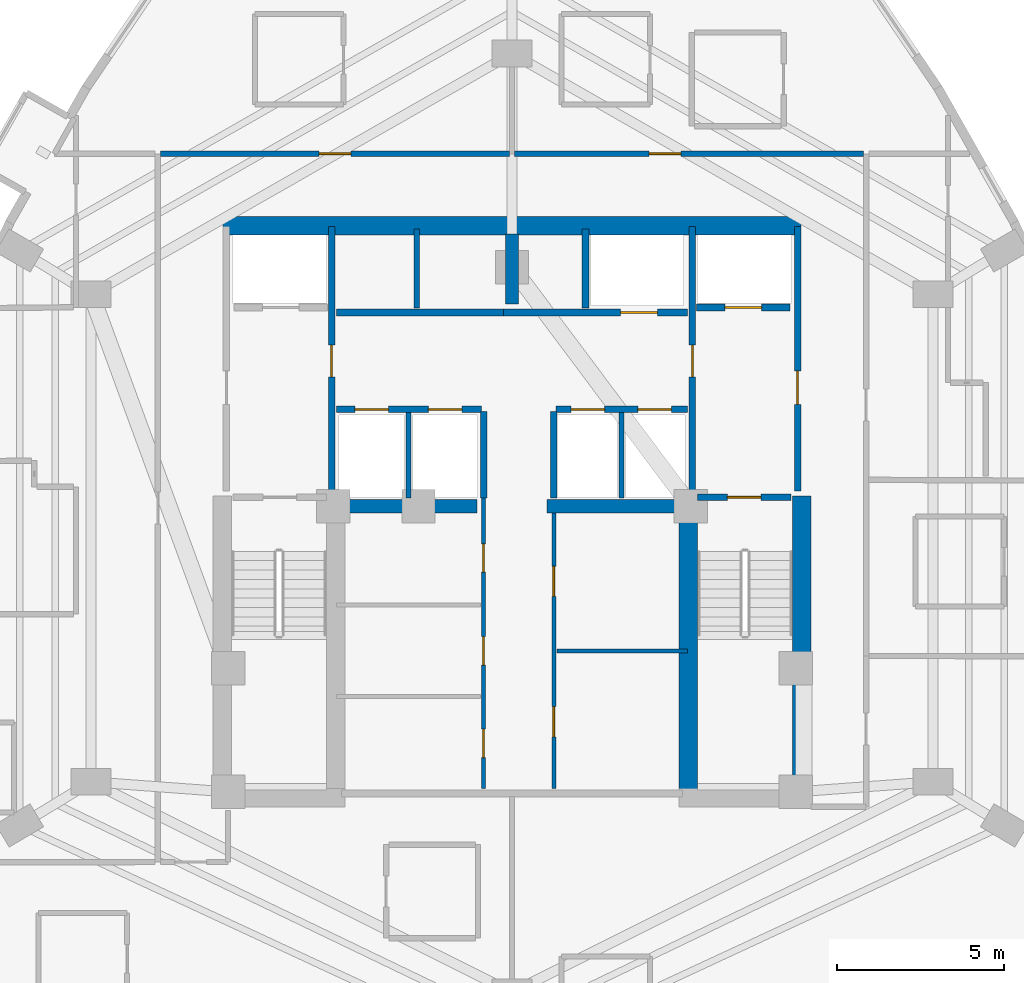
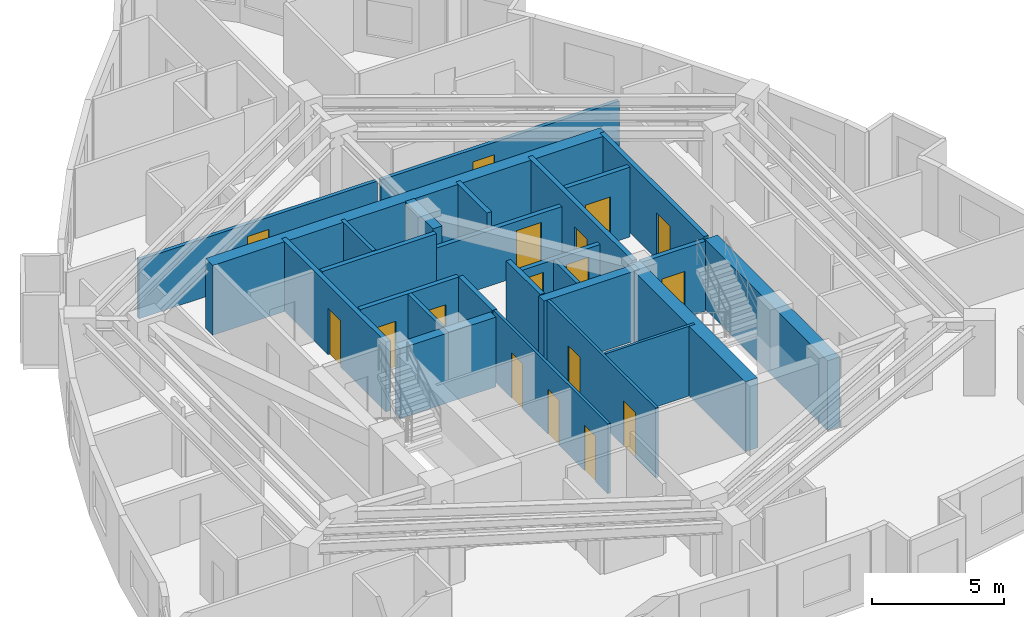
# One storey, part 8 of 12: 26 walls, 17 doors, 17 openings.
"""IFC4 building model written with IfcOpenShell, lengths in metres."""

from ifc_helpers import new_model, si_unit, direction, frame, frame_2d, origin, place, context, subcontext, project, spatial, rectangle, extrude, material, layer, layer_set, type_object, element, fill, save


model = new_model("IFC4")

# Units and contexts
model_context = context("Model", 3, precision=1e-05, world=origin(), true_north=direction((0.0, 1.0)))
body_context = subcontext(model_context, "Body", "Model", "MODEL_VIEW")
ifc_project = project(units=[si_unit("LENGTHUNIT", "METRE"), si_unit("AREAUNIT", "SQUARE_METRE"), si_unit("VOLUMEUNIT", "CUBIC_METRE"), si_unit("PLANEANGLEUNIT", "RADIAN"), si_unit("MASSUNIT", "GRAM", prefix="KILO")], contexts=[model_context])

# Site, building, storey
site_placement = place(None, origin())
site = spatial("IfcSite", under=ifc_project, at=site_placement, CompositionType="ELEMENT")
building_placement = place(site_placement, origin())
building = spatial("IfcBuilding", under=site, at=building_placement, Name="Miruveldt Soraemaru", CompositionType="ELEMENT")
storey_placement = place(building_placement, frame((0.0, 0.0, 107.39990234375)))
storey = spatial("IfcBuildingStorey", under=building, at=storey_placement, Name="L29", CompositionType="ELEMENT", Elevation=107.39990234375)

# Walls
ifc_material_1 = material(Name="Concrete C70/85 (70 MPa)", Category="concrete")
ifc_layer_1 = layer(ifc_material_1, 0.5, Name="Concrete C70/85 (70 MPa)", Category="concrete")
ifc_layer_set_1 = layer_set([ifc_layer_1], Name="Concrete C70/85 (70 MPa)")
wall_type_1 = type_object("IfcWallType", Name="WALL-BW-500", PredefinedType="SHEAR", material=ifc_layer_set_1)
wall_1_placement = place(storey_placement, frame((44.0, 50.10009765625, 0.0), z_axis=(0.0, 0.0, 1.0), x_axis=(0.0, 1.0, 0.0)))
element("IfcWall", 1, at=wall_1_placement, inside=storey, type_object=wall_type_1, Name="L29 Core Buttress Shear Wall BN", PredefinedType="SHEAR", context=body_context, shape_type="SweptSolid", body=[
    extrude(rectangle(XDim=2.099853515625, YDim=0.39990234375, at=frame_2d((1.0498046875, 0.0))), origin(), (0.0, 0.0, 1.0), 3.235107421875),
])
for number, where, z_axis, x_axis, name in (
    (2, (38.75, 44.050048828125, 0.0), (0.0, 0.0, 1.0), (1.0, 0.0, 0.0), "L29 Core Buttress Shear Wall BW"),
    (3, (45.050048828125, 44.050048828125, 0.0), (0.0, 0.0, 1.0), (1.0, 0.0, 0.0), "L29 Core Buttress Shear Wall BE"),
):
    element("IfcWall", number, at=place(storey_placement, frame(where, z_axis=z_axis, x_axis=x_axis)), inside=storey, type_object=wall_type_1, Name=name, PredefinedType="SHEAR", context=body_context, shape_type="SweptSolid", body=[
        extrude(rectangle(XDim=4.199951171875, YDim=0.39990234375, at=frame_2d((2.10009765625, 0.0))), origin(), (0.0, 0.0, 1.0), 3.235107421875),
    ])
ifc_layer_2 = layer(ifc_material_1, 0.550048828125, Name="Concrete C70/85 (70 MPa)", Category="concrete")
ifc_layer_set_2 = layer_set([ifc_layer_2], Name="Concrete C70/85 (70 MPa)")
wall_type_2 = type_object("IfcWallType", Name="WALL-CW-550", PredefinedType="SHEAR", material=ifc_layer_set_2)
wall_2_placement = place(storey_placement, frame((35.35009765625, 52.449951171875, 0.0), z_axis=(0.0, 0.0, 1.0), x_axis=(1.0, 0.0, 0.0)))
element("IfcWall", 4, at=wall_2_placement, inside=storey, type_object=wall_type_2, Name="L29 Central Core Shear Wall N", PredefinedType="SHEAR", context=body_context, shape_type="SweptSolid", body=[
    extrude(rectangle(XDim=17.2998046875, YDim=0.550048828125, at=frame_2d((8.64990234375, 0.0))), origin(), (0.0, 0.0, 1.0), 3.235107421875),
])
wall_3_placement = place(storey_placement, frame((52.675048828125, 35.050048828125, 0.0), z_axis=(0.0, 0.0, 1.0), x_axis=(0.0, 1.0, 0.0)))
element("IfcWall", 5, at=wall_3_placement, inside=storey, type_object=wall_type_2, Name="L29 Central Core Shear Wall E1", PredefinedType="SHEAR", context=body_context, shape_type="SweptSolid", body=[
    extrude(rectangle(XDim=9.300048828125, YDim=0.550048828125, at=frame_2d((4.64990234375, 0.0))), origin(), (0.0, 0.0, 1.0), 3.235107421875),
])
wall_4_placement = place(storey_placement, frame((49.27490234375, 35.39990234375, 0.0), z_axis=(0.0, 0.0, 1.0), x_axis=(0.0, 1.0, 0.0)))
element("IfcWall", 6, at=wall_4_placement, inside=storey, type_object=wall_type_2, Name="L29 Central Core Shear Wall SE-INT", PredefinedType="SHEAR", context=body_context, shape_type="SweptSolid", body=[
    extrude(rectangle(XDim=8.9501953125, YDim=0.550048828125, at=frame_2d((4.47509765625, 0.0))), origin(), (0.0, 0.0, 1.0), 3.235107421875),
])

# Wall, openings, doors
ifc_material_2 = material(Name="Gypsum plasterboard lining", Category="gypsum")
ifc_layer_3 = layer(ifc_material_2, 0.1201171875, Name="Gypsum plasterboard lining", Category="gypsum")
ifc_layer_set_3 = layer_set([ifc_layer_3], Name="Gypsum plasterboard lining")
wall_type_3 = type_object("IfcWallType", Name="WALL-INT-P120", PredefinedType="PARTITIONING", material=ifc_layer_set_3)
wall_5_placement = place(storey_placement, frame((43.14990234375, 35.60009765625, 0.0), z_axis=(0.0, 0.0, 1.0), x_axis=(0.0, 1.0, 0.0)))
wall_5 = element("IfcWall", 7, at=wall_5_placement, inside=storey, type_object=wall_type_3, Name="L29 Core Compartment Wall SP-WL", PredefinedType="PARTITIONING", context=body_context, shape_type="SweptSolid", body=[
    extrude(rectangle(XDim=8.699951171875, YDim=0.1201171875, at=frame_2d((4.35009765625, 0.0))), origin(), (0.0, 0.0, 1.0), 3.235107421875),
])
opening_1_placement = place(wall_5_placement, frame((0.925048828125, 0.0, 0.0)))
opening_1 = element("IfcOpeningElement", 8, at=opening_1_placement, cuts=wall_5, Name="Opening FD3", PredefinedType="OPENING", context=body_context, shape_type="SweptSolid", body=[
    extrude(rectangle(XDim=0.85009765625, YDim=2.10009765625, at=frame_2d((0.425048828125, 1.050048828125))), frame((0.0, 0.070068359375, 0.0), z_axis=(0.0, -1.0, 0.0), x_axis=(1.0, 0.0, 0.0)), (0.0, 0.0, 1.0), 0.14013671875),
])
opening_2_placement = place(wall_5_placement, frame((3.695068359375, 0.0, 0.0)))
opening_2 = element("IfcOpeningElement", 9, at=opening_2_placement, cuts=wall_5, Name="Opening FD3", PredefinedType="OPENING", context=body_context, shape_type="SweptSolid", body=[
    extrude(rectangle(XDim=0.85009765625, YDim=2.10009765625, at=frame_2d((0.425048828125, 1.050048828125))), frame((0.0, 0.070068359375, 0.0), z_axis=(0.0, -1.0, 0.0), x_axis=(1.0, 0.0, 0.0)), (0.0, 0.0, 1.0), 0.14013671875),
])
opening_3_placement = place(wall_5_placement, frame((6.47509765625, 0.0, 0.0)))
opening_3 = element("IfcOpeningElement", 10, at=opening_3_placement, cuts=wall_5, Name="Opening FD3", PredefinedType="OPENING", context=body_context, shape_type="SweptSolid", body=[
    extrude(rectangle(XDim=0.85009765625, YDim=2.10009765625, at=frame_2d((0.425048828125, 1.050048828125))), frame((0.0, 0.070068359375, 0.0), z_axis=(0.0, -1.0, 0.0), x_axis=(1.0, 0.0, 0.0)), (0.0, 0.0, 1.0), 0.14013671875),
])
ifc_material_3 = material(Name="Anodised aluminium EN AW-6063 T6", Category="aluminium")
door_type_1 = type_object("IfcDoorType", Name="DOOR-FD3-850", OperationType="NOTDEFINED", PredefinedType="DOOR", material=ifc_material_3)
door_1_placement = place(opening_1_placement, origin())
door_1 = element("IfcDoor", 11, at=door_1_placement, inside=storey, type_object=door_type_1, Name="L29 Fire Door", OperationType="SINGLE_SWING_LEFT", OverallHeight=2.10009765625, OverallWidth=0.85009765625, PredefinedType="DOOR", context=body_context, shape_type="SweptSolid", body=[
    extrude(rectangle(XDim=0.85009765625, YDim=2.10009765625, at=frame_2d((0.425048828125, 1.050048828125))), frame((0.0, 0.02490234375, 0.0), z_axis=(0.0, -1.0, 0.0), x_axis=(1.0, 0.0, 0.0)), (0.0, 0.0, 1.0), 0.050048828125),
])
fill(opening_1, door_1)
door_2_placement = place(opening_2_placement, origin())
door_2 = element("IfcDoor", 12, at=door_2_placement, inside=storey, type_object=door_type_1, Name="L29 Fire Door", OperationType="SINGLE_SWING_LEFT", OverallHeight=2.10009765625, OverallWidth=0.85009765625, PredefinedType="DOOR", context=body_context, shape_type="SweptSolid", body=[
    extrude(rectangle(XDim=0.85009765625, YDim=2.10009765625, at=frame_2d((0.425048828125, 1.050048828125))), frame((0.0, 0.02490234375, 0.0), z_axis=(0.0, -1.0, 0.0), x_axis=(1.0, 0.0, 0.0)), (0.0, 0.0, 1.0), 0.050048828125),
])
fill(opening_2, door_2)
door_3_placement = place(opening_3_placement, origin())
door_3 = element("IfcDoor", 13, at=door_3_placement, inside=storey, type_object=door_type_1, Name="L29 Fire Door", OperationType="SINGLE_SWING_LEFT", OverallHeight=2.10009765625, OverallWidth=0.85009765625, PredefinedType="DOOR", context=body_context, shape_type="SweptSolid", body=[
    extrude(rectangle(XDim=0.85009765625, YDim=2.10009765625, at=frame_2d((0.425048828125, 1.050048828125))), frame((0.0, 0.02490234375, 0.0), z_axis=(0.0, -1.0, 0.0), x_axis=(1.0, 0.0, 0.0)), (0.0, 0.0, 1.0), 0.050048828125),
])
fill(opening_3, door_3)

wall_6_placement = place(storey_placement, frame((45.25, 35.60009765625, 0.0), z_axis=(0.0, 0.0, 1.0), x_axis=(0.0, 1.0, 0.0)))
wall_6 = element("IfcWall", 14, at=wall_6_placement, inside=storey, type_object=wall_type_3, Name="L29 Core Compartment Wall SP-EL", PredefinedType="PARTITIONING", context=body_context, shape_type="SweptSolid", body=[
    extrude(rectangle(XDim=8.25, YDim=0.1201171875, at=frame_2d((4.125, 0.0))), origin(), (0.0, 0.0, 1.0), 3.235107421875),
])
opening_4_placement = place(wall_6_placement, frame((1.550048828125, 0.0, 0.0)))
opening_4 = element("IfcOpeningElement", 15, at=opening_4_placement, cuts=wall_6, Name="Opening D3", PredefinedType="OPENING", context=body_context, shape_type="SweptSolid", body=[
    extrude(rectangle(XDim=0.89990234375, YDim=2.10009765625, at=frame_2d((0.449951171875, 1.050048828125))), frame((0.0, 0.070068359375, 0.0), z_axis=(0.0, -1.0, 0.0), x_axis=(1.0, 0.0, 0.0)), (0.0, 0.0, 1.0), 0.14013671875),
])
opening_5_placement = place(wall_6_placement, frame((5.75, 0.0, 0.0)))
opening_5 = element("IfcOpeningElement", 16, at=opening_5_placement, cuts=wall_6, Name="Opening D3", PredefinedType="OPENING", context=body_context, shape_type="SweptSolid", body=[
    extrude(rectangle(XDim=0.89990234375, YDim=2.10009765625, at=frame_2d((0.449951171875, 1.050048828125))), frame((0.0, 0.070068359375, 0.0), z_axis=(0.0, -1.0, 0.0), x_axis=(1.0, 0.0, 0.0)), (0.0, 0.0, 1.0), 0.14013671875),
])
door_type_2 = type_object("IfcDoorType", Name="DOOR-INT-900", OperationType="NOTDEFINED", PredefinedType="DOOR", material=ifc_material_3)
door_4_placement = place(opening_4_placement, origin())
door_4 = element("IfcDoor", 17, at=door_4_placement, inside=storey, type_object=door_type_2, Name="L29 Fire Door", OperationType="SINGLE_SWING_LEFT", OverallHeight=2.10009765625, OverallWidth=0.89990234375, PredefinedType="DOOR", context=body_context, shape_type="SweptSolid", body=[
    extrude(rectangle(XDim=0.89990234375, YDim=2.10009765625, at=frame_2d((0.449951171875, 1.050048828125))), frame((0.0, 0.02490234375, 0.0), z_axis=(0.0, -1.0, 0.0), x_axis=(1.0, 0.0, 0.0)), (0.0, 0.0, 1.0), 0.050048828125),
])
fill(opening_4, door_4)
door_5_placement = place(opening_5_placement, origin())
door_5 = element("IfcDoor", 18, at=door_5_placement, inside=storey, type_object=door_type_2, Name="L29 Fire Door", OperationType="SINGLE_SWING_LEFT", OverallHeight=2.10009765625, OverallWidth=0.89990234375, PredefinedType="DOOR", context=body_context, shape_type="SweptSolid", body=[
    extrude(rectangle(XDim=0.89990234375, YDim=2.10009765625, at=frame_2d((0.449951171875, 1.050048828125))), frame((0.0, 0.02490234375, 0.0), z_axis=(0.0, -1.0, 0.0), x_axis=(1.0, 0.0, 0.0)), (0.0, 0.0, 1.0), 0.050048828125),
])
fill(opening_5, door_5)

# Wall
wall_7_placement = place(storey_placement, frame((45.35009765625, 39.719970703125, 0.0), z_axis=(0.0, 0.0, 1.0), x_axis=(1.0, 0.0, 0.0)))
element("IfcWall", 19, at=wall_7_placement, inside=storey, type_object=wall_type_3, Name="L29 Core Compartment Wall RL-E3H", PredefinedType="PARTITIONING", context=body_context, shape_type="SweptSolid", body=[
    extrude(rectangle(XDim=3.89990234375, YDim=0.1201171875, at=frame_2d((1.949951171875, 0.0))), origin(), (0.0, 0.0, 1.0), 3.235107421875),
])

# Wall, opening, door
ifc_material_4 = material(Name="Concrete C40/50 (40 MPa)", Category="concrete")
ifc_layer_4 = layer(ifc_material_4, 0.159912109375, Name="Concrete C40/50 (40 MPa)", Category="concrete")
ifc_layer_set_4 = layer_set([ifc_layer_4], Name="Concrete C40/50 (40 MPa)")
wall_type_4 = type_object("IfcWallType", Name="WALL-INT-RC160", PredefinedType="SOLIDWALL", material=ifc_layer_set_4)
wall_8_placement = place(storey_placement, frame((43.919921875, 54.60009765625, 0.0), z_axis=(0.0, 0.0, 1.0), x_axis=(-1.0, 0.0, 0.0)))
wall_8 = element("IfcWall", 20, at=wall_8_placement, inside=storey, type_object=wall_type_4, Name="L29 Partition Wall 1", PredefinedType="SOLIDWALL", context=body_context, shape_type="SweptSolid", body=[
    extrude(rectangle(XDim=10.43994140625, YDim=0.159912109375, at=frame_2d((5.219970703125, 0.0))), origin(), (0.0, 0.0, 1.0), 2.72314453125),
])
opening_6_placement = place(wall_8_placement, frame((4.7451171875, 0.0, 0.0)))
opening_6 = element("IfcOpeningElement", 21, at=opening_6_placement, cuts=wall_8, Name="Opening FD2", PredefinedType="OPENING", context=body_context, shape_type="SweptSolid", body=[
    extrude(rectangle(XDim=0.949951171875, YDim=2.14990234375, at=frame_2d((0.47509765625, 1.074951171875))), frame((0.0, 0.08984375, 0.0), z_axis=(0.0, -1.0, 0.0), x_axis=(1.0, 0.0, 0.0)), (0.0, 0.0, 1.0), 0.179931640625),
])
door_type_3 = type_object("IfcDoorType", Name="DOOR-FD2-950", OperationType="NOTDEFINED", PredefinedType="DOOR", material=ifc_material_3)
door_6_placement = place(opening_6_placement, origin())
door_6 = element("IfcDoor", 22, at=door_6_placement, inside=storey, type_object=door_type_3, Name="L29 Unit 2901 Entrance Fire Door", OperationType="SINGLE_SWING_LEFT", OverallHeight=2.14990234375, OverallWidth=0.949951171875, PredefinedType="DOOR", context=body_context, shape_type="SweptSolid", body=[
    extrude(rectangle(XDim=0.949951171875, YDim=2.14990234375, at=frame_2d((0.47509765625, 1.074951171875))), frame((0.0, 0.02490234375, 0.0), z_axis=(0.0, -1.0, 0.0), x_axis=(1.0, 0.0, 0.0)), (0.0, 0.0, 1.0), 0.050048828125),
])
fill(opening_6, door_6)

wall_9_placement = place(storey_placement, frame((54.52001953125, 54.60009765625, 0.0), z_axis=(0.0, 0.0, 1.0), x_axis=(-1.0, 0.0, 0.0)))
wall_9 = element("IfcWall", 23, at=wall_9_placement, inside=storey, type_object=wall_type_4, Name="L29 Partition Wall 2", PredefinedType="SOLIDWALL", context=body_context, shape_type="SweptSolid", body=[
    extrude(rectangle(XDim=10.43994140625, YDim=0.159912109375, at=frame_2d((5.219970703125, 0.0))), origin(), (0.0, 0.0, 1.0), 2.72314453125),
])
opening_7_placement = place(wall_9_placement, frame((5.465087890625, 0.0, 0.0)))
opening_7 = element("IfcOpeningElement", 24, at=opening_7_placement, cuts=wall_9, Name="Opening FD2", PredefinedType="OPENING", context=body_context, shape_type="SweptSolid", body=[
    extrude(rectangle(XDim=0.949951171875, YDim=2.14990234375, at=frame_2d((0.47509765625, 1.074951171875))), frame((0.0, 0.08984375, 0.0), z_axis=(0.0, -1.0, 0.0), x_axis=(1.0, 0.0, 0.0)), (0.0, 0.0, 1.0), 0.179931640625),
])
door_7_placement = place(opening_7_placement, origin())
door_7 = element("IfcDoor", 25, at=door_7_placement, inside=storey, type_object=door_type_3, Name="L29 Unit 2902 Entrance Fire Door", OperationType="SINGLE_SWING_RIGHT", OverallHeight=2.14990234375, OverallWidth=0.949951171875, PredefinedType="DOOR", context=body_context, shape_type="SweptSolid", body=[
    extrude(rectangle(XDim=0.949951171875, YDim=2.14990234375, at=frame_2d((0.47509765625, 1.074951171875))), frame((0.0, 0.02490234375, 0.0), z_axis=(0.0, -1.0, 0.0), x_axis=(1.0, 0.0, 0.0)), (0.0, 0.0, 1.0), 0.050048828125),
])
fill(opening_7, door_7)

# Walls
wall_10_placement = place(storey_placement, frame((40.89990234375, 44.300048828125, 0.0), z_axis=(0.0, 0.0, 1.0), x_axis=(0.0, 1.0, 0.0)))
element("IfcWall", 26, at=wall_10_placement, inside=storey, type_object=wall_type_4, Name="L29 Core Compartment Wall PLM-DW", PredefinedType="SOLIDWALL", context=body_context, shape_type="SweptSolid", body=[
    extrude(rectangle(XDim=2.550048828125, YDim=0.159912109375, at=frame_2d((1.27490234375, 0.0))), origin(), (0.0, 0.0, 1.0), 3.235107421875),
])
wall_11_placement = place(storey_placement, frame((47.280029296875, 44.300048828125, 0.0), z_axis=(0.0, 0.0, 1.0), x_axis=(0.0, 1.0, 0.0)))
element("IfcWall", 27, at=wall_11_placement, inside=storey, type_object=wall_type_4, Name="L29 Core Compartment Wall PLM-DE", PredefinedType="SOLIDWALL", context=body_context, shape_type="SweptSolid", body=[
    extrude(rectangle(XDim=2.550048828125, YDim=0.159912109375, at=frame_2d((1.27490234375, 0.0))), origin(), (0.0, 0.0, 1.0), 2.572998046875),
])
wall_12_placement = place(storey_placement, frame((41.14990234375, 49.97998046875, 0.0), z_axis=(0.0, 0.0, 1.0), x_axis=(0.0, 1.0, 0.0)))
element("IfcWall", 28, at=wall_12_placement, inside=storey, type_object=wall_type_4, Name="L29 Core Compartment Wall PLH-DIV1", PredefinedType="SOLIDWALL", context=body_context, shape_type="SweptSolid", body=[
    extrude(rectangle(XDim=2.3701171875, YDim=0.159912109375, at=frame_2d((1.18505859375, 0.0))), origin(), (0.0, 0.0, 1.0), 3.235107421875),
])

# Wall, opening, door
ifc_layer_5 = layer(ifc_material_4, 0.199951171875, Name="Concrete C40/50 (40 MPa)", Category="concrete")
ifc_layer_set_5 = layer_set([ifc_layer_5], Name="Concrete C40/50 (40 MPa)")
wall_type_5 = type_object("IfcWallType", Name="WALL-INT-RC200", PredefinedType="SOLIDWALL", material=ifc_layer_set_5)
wall_13_placement = place(storey_placement, frame((52.550048828125, 44.5, 0.0), z_axis=(0.0, 0.0, 1.0), x_axis=(0.0, 1.0, 0.0)))
wall_13 = element("IfcWall", 29, at=wall_13_placement, inside=storey, type_object=wall_type_5, Name="L29 Core Compartment Wall FFE-OUT", PredefinedType="SOLIDWALL", context=body_context, shape_type="SweptSolid", body=[
    extrude(rectangle(XDim=7.919921875, YDim=0.199951171875, at=frame_2d((3.9599609375, 0.0))), origin(), (0.0, 0.0, 1.0), 3.235107421875),
])
opening_8_placement = place(wall_13_placement, frame((2.60009765625, 0.0, 0.0)))
opening_8 = element("IfcOpeningElement", 30, at=opening_8_placement, cuts=wall_13, Name="Opening FD1", PredefinedType="OPENING", context=body_context, shape_type="SweptSolid", body=[
    extrude(rectangle(XDim=1.0, YDim=2.14990234375, at=frame_2d((0.5, 1.074951171875))), frame((0.0, 0.10986328125, 0.0), z_axis=(0.0, -1.0, 0.0), x_axis=(1.0, 0.0, 0.0)), (0.0, 0.0, 1.0), 0.219970703125),
])
door_type_4 = type_object("IfcDoorType", Name="DOOR-FD1-1000", OperationType="NOTDEFINED", PredefinedType="DOOR", material=ifc_material_3)
door_8_placement = place(opening_8_placement, frame((1.0, 0.0, 0.0), z_axis=(0.0, 0.0, 1.0), x_axis=(-1.0, 0.0, 0.0)))
door_8 = element("IfcDoor", 31, at=door_8_placement, inside=storey, type_object=door_type_4, Name="L29 East Firefighting Lobby Exit Door", OperationType="SINGLE_SWING_RIGHT", OverallHeight=2.14990234375, OverallWidth=1.0, PredefinedType="DOOR", context=body_context, shape_type="SweptSolid", body=[
    extrude(rectangle(XDim=1.0, YDim=2.14990234375, at=frame_2d((0.5, 1.074951171875))), frame((0.0, 0.02490234375, 0.0), z_axis=(0.0, -1.0, 0.0), x_axis=(1.0, 0.0, 0.0)), (0.0, 0.0, 1.0), 0.050048828125),
])
fill(opening_8, door_8)

wall_14_placement = place(storey_placement, frame((38.60009765625, 44.5, 0.0), z_axis=(0.0, 0.0, 1.0), x_axis=(0.0, 1.0, 0.0)))
wall_14 = element("IfcWall", 32, at=wall_14_placement, inside=storey, type_object=wall_type_5, Name="L29 Core Compartment Wall FFW-IN", PredefinedType="SOLIDWALL", context=body_context, shape_type="SweptSolid", body=[
    extrude(rectangle(XDim=7.919921875, YDim=0.199951171875, at=frame_2d((3.9599609375, 0.0))), origin(), (0.0, 0.0, 1.0), 3.235107421875),
])
opening_9_placement = place(wall_14_placement, frame((3.425048828125, 0.0, 0.0)))
opening_9 = element("IfcOpeningElement", 33, at=opening_9_placement, cuts=wall_14, Name="Opening FD2", PredefinedType="OPENING", context=body_context, shape_type="SweptSolid", body=[
    extrude(rectangle(XDim=0.949951171875, YDim=2.14990234375, at=frame_2d((0.47509765625, 1.074951171875))), frame((0.0, 0.10986328125, 0.0), z_axis=(0.0, -1.0, 0.0), x_axis=(1.0, 0.0, 0.0)), (0.0, 0.0, 1.0), 0.219970703125),
])
door_9_placement = place(opening_9_placement, frame((0.949951171875, 0.0, 0.0), z_axis=(0.0, 0.0, 1.0), x_axis=(-1.0, 0.0, 0.0)))
door_9 = element("IfcDoor", 34, at=door_9_placement, inside=storey, type_object=door_type_3, Name="L29 Lift Lobby to West Fire Lobby Door", OperationType="SINGLE_SWING_RIGHT", OverallHeight=2.14990234375, OverallWidth=0.949951171875, PredefinedType="DOOR", context=body_context, shape_type="SweptSolid", body=[
    extrude(rectangle(XDim=0.949951171875, YDim=2.14990234375, at=frame_2d((0.47509765625, 1.074951171875))), frame((0.0, 0.02490234375, 0.0), z_axis=(0.0, -1.0, 0.0), x_axis=(1.0, 0.0, 0.0)), (0.0, 0.0, 1.0), 0.050048828125),
])
fill(opening_9, door_9)

wall_15_placement = place(storey_placement, frame((49.39990234375, 44.5, 0.0), z_axis=(0.0, 0.0, 1.0), x_axis=(0.0, 1.0, 0.0)))
wall_15 = element("IfcWall", 35, at=wall_15_placement, inside=storey, type_object=wall_type_5, Name="L29 Core Compartment Wall FFE-IN", PredefinedType="SOLIDWALL", context=body_context, shape_type="SweptSolid", body=[
    extrude(rectangle(XDim=7.919921875, YDim=0.199951171875, at=frame_2d((3.9599609375, 0.0))), origin(), (0.0, 0.0, 1.0), 3.235107421875),
])
opening_10_placement = place(wall_15_placement, frame((3.425048828125, 0.0, 0.0)))
opening_10 = element("IfcOpeningElement", 36, at=opening_10_placement, cuts=wall_15, Name="Opening FD2", PredefinedType="OPENING", context=body_context, shape_type="SweptSolid", body=[
    extrude(rectangle(XDim=0.949951171875, YDim=2.14990234375, at=frame_2d((0.47509765625, 1.074951171875))), frame((0.0, 0.10986328125, 0.0), z_axis=(0.0, -1.0, 0.0), x_axis=(1.0, 0.0, 0.0)), (0.0, 0.0, 1.0), 0.219970703125),
])
door_10_placement = place(opening_10_placement, origin())
door_10 = element("IfcDoor", 37, at=door_10_placement, inside=storey, type_object=door_type_3, Name="L29 Lift Lobby to East Fire Lobby Door", OperationType="SINGLE_SWING_LEFT", OverallHeight=2.14990234375, OverallWidth=0.949951171875, PredefinedType="DOOR", context=body_context, shape_type="SweptSolid", body=[
    extrude(rectangle(XDim=0.949951171875, YDim=2.14990234375, at=frame_2d((0.47509765625, 1.074951171875))), frame((0.0, 0.02490234375, 0.0), z_axis=(0.0, -1.0, 0.0), x_axis=(1.0, 0.0, 0.0)), (0.0, 0.0, 1.0), 0.050048828125),
])
fill(opening_10, door_10)

wall_16_placement = place(storey_placement, frame((43.75, 49.85009765625, 0.0), z_axis=(0.0, 0.0, 1.0), x_axis=(1.0, 0.0, 0.0)))
wall_16 = element("IfcWall", 38, at=wall_16_placement, inside=storey, type_object=wall_type_5, Name="L29 Core Compartment Wall ROWA-SE", PredefinedType="SOLIDWALL", context=body_context, shape_type="SweptSolid", body=[
    extrude(rectangle(XDim=5.5, YDim=0.199951171875, at=frame_2d((2.75, 0.0))), origin(), (0.0, 0.0, 1.0), 2.572998046875),
])
opening_11_placement = place(wall_16_placement, frame((3.5, 0.0, 0.0)))
opening_11 = element("IfcOpeningElement", 39, at=opening_11_placement, cuts=wall_16, Name="Opening LD2", PredefinedType="OPENING", context=body_context, shape_type="SweptSolid", body=[
    extrude(rectangle(XDim=1.10009765625, YDim=2.14990234375, at=frame_2d((0.550048828125, 1.074951171875))), frame((0.0, 0.10986328125, 0.0), z_axis=(0.0, -1.0, 0.0), x_axis=(1.0, 0.0, 0.0)), (0.0, 0.0, 1.0), 0.219970703125),
])
door_type_5 = type_object("IfcDoorType", Name="DOOR-LD2-1100", OperationType="SLIDING_TO_LEFT", PredefinedType="DOOR", material=ifc_material_3)
door_11_placement = place(opening_11_placement, origin())
door_11 = element("IfcDoor", 40, at=door_11_placement, inside=storey, type_object=door_type_5, Name="L29 SL-1 Landing Door", OperationType="SLIDING_TO_LEFT", OverallHeight=2.14990234375, OverallWidth=1.10009765625, PredefinedType="DOOR", context=body_context, shape_type="SweptSolid", body=[
    extrude(rectangle(XDim=1.10009765625, YDim=2.14990234375, at=frame_2d((0.550048828125, 1.074951171875))), frame((0.0, 0.02490234375, 0.0), z_axis=(0.0, -1.0, 0.0), x_axis=(1.0, 0.0, 0.0)), (0.0, 0.0, 1.0), 0.050048828125),
])
fill(opening_11, door_11)

# Wall, openings, doors
wall_17_placement = place(storey_placement, frame((38.75, 46.949951171875, 0.0), z_axis=(0.0, 0.0, 1.0), x_axis=(1.0, 0.0, 0.0)))
wall_17 = element("IfcWall", 41, at=wall_17_placement, inside=storey, type_object=wall_type_5, Name="L29 Core Compartment Wall MBW-N", PredefinedType="SOLIDWALL", context=body_context, shape_type="SweptSolid", body=[
    extrude(rectangle(XDim=4.330078125, YDim=0.199951171875, at=frame_2d((2.1650390625, 0.0))), origin(), (0.0, 0.0, 1.0), 3.235107421875),
])
opening_12_placement = place(wall_17_placement, frame((0.550048828125, 0.0, 0.0)))
opening_12 = element("IfcOpeningElement", 42, at=opening_12_placement, cuts=wall_17, Name="Opening LD1B", PredefinedType="OPENING", context=body_context, shape_type="SweptSolid", body=[
    extrude(rectangle(XDim=1.0, YDim=2.14990234375, at=frame_2d((0.5, 1.074951171875))), frame((0.0, 0.10986328125, 0.0), z_axis=(0.0, -1.0, 0.0), x_axis=(1.0, 0.0, 0.0)), (0.0, 0.0, 1.0), 0.219970703125),
])
opening_13_placement = place(wall_17_placement, frame((2.75, 0.0, 0.0)))
opening_13 = element("IfcOpeningElement", 43, at=opening_13_placement, cuts=wall_17, Name="Opening LD1B", PredefinedType="OPENING", context=body_context, shape_type="SweptSolid", body=[
    extrude(rectangle(XDim=1.0, YDim=2.14990234375, at=frame_2d((0.5, 1.074951171875))), frame((0.0, 0.10986328125, 0.0), z_axis=(0.0, -1.0, 0.0), x_axis=(1.0, 0.0, 0.0)), (0.0, 0.0, 1.0), 0.219970703125),
])
door_type_6 = type_object("IfcDoorType", Name="DOOR-LD1-1000", OperationType="SLIDING_TO_LEFT", PredefinedType="DOOR", material=ifc_material_3)
door_12_placement = place(opening_12_placement, origin())
door_12 = element("IfcDoor", 44, at=door_12_placement, inside=storey, type_object=door_type_6, Name="L29 PL-M1 Landing Door", OperationType="SLIDING_TO_LEFT", OverallHeight=2.14990234375, OverallWidth=1.0, PredefinedType="DOOR", context=body_context, shape_type="SweptSolid", body=[
    extrude(rectangle(XDim=1.0, YDim=2.14990234375, at=frame_2d((0.5, 1.074951171875))), frame((0.0, 0.02490234375, 0.0), z_axis=(0.0, -1.0, 0.0), x_axis=(1.0, 0.0, 0.0)), (0.0, 0.0, 1.0), 0.050048828125),
])
fill(opening_12, door_12)
door_13_placement = place(opening_13_placement, origin())
door_13 = element("IfcDoor", 45, at=door_13_placement, inside=storey, type_object=door_type_6, Name="L29 PL-M2 Landing Door", OperationType="SLIDING_TO_LEFT", OverallHeight=2.14990234375, OverallWidth=1.0, PredefinedType="DOOR", context=body_context, shape_type="SweptSolid", body=[
    extrude(rectangle(XDim=1.0, YDim=2.14990234375, at=frame_2d((0.5, 1.074951171875))), frame((0.0, 0.02490234375, 0.0), z_axis=(0.0, -1.0, 0.0), x_axis=(1.0, 0.0, 0.0)), (0.0, 0.0, 1.0), 0.050048828125),
])
fill(opening_13, door_13)

wall_18_placement = place(storey_placement, frame((45.320068359375, 46.949951171875, 0.0), z_axis=(0.0, 0.0, 1.0), x_axis=(1.0, 0.0, 0.0)))
wall_18 = element("IfcWall", 46, at=wall_18_placement, inside=storey, type_object=wall_type_5, Name="L29 Core Compartment Wall MBE-N", PredefinedType="SOLIDWALL", context=body_context, shape_type="SweptSolid", body=[
    extrude(rectangle(XDim=3.929931640625, YDim=0.199951171875, at=frame_2d((1.96484375, 0.0))), origin(), (0.0, 0.0, 1.0), 2.572998046875),
])
opening_14_placement = place(wall_18_placement, frame((0.449951171875, 0.0, 0.0)))
opening_14 = element("IfcOpeningElement", 47, at=opening_14_placement, cuts=wall_18, Name="Opening LD1B", PredefinedType="OPENING", context=body_context, shape_type="SweptSolid", body=[
    extrude(rectangle(XDim=1.0, YDim=2.14990234375, at=frame_2d((0.5, 1.074951171875))), frame((0.0, 0.10986328125, 0.0), z_axis=(0.0, -1.0, 0.0), x_axis=(1.0, 0.0, 0.0)), (0.0, 0.0, 1.0), 0.219970703125),
])
opening_15_placement = place(wall_18_placement, frame((2.449951171875, 0.0, 0.0)))
opening_15 = element("IfcOpeningElement", 48, at=opening_15_placement, cuts=wall_18, Name="Opening LD1B", PredefinedType="OPENING", context=body_context, shape_type="SweptSolid", body=[
    extrude(rectangle(XDim=1.0, YDim=2.14990234375, at=frame_2d((0.5, 1.074951171875))), frame((0.0, 0.10986328125, 0.0), z_axis=(0.0, -1.0, 0.0), x_axis=(1.0, 0.0, 0.0)), (0.0, 0.0, 1.0), 0.219970703125),
])
door_14_placement = place(opening_14_placement, origin())
door_14 = element("IfcDoor", 49, at=door_14_placement, inside=storey, type_object=door_type_6, Name="L29 PL-M3 Landing Door", OperationType="SLIDING_TO_LEFT", OverallHeight=2.14990234375, OverallWidth=1.0, PredefinedType="DOOR", context=body_context, shape_type="SweptSolid", body=[
    extrude(rectangle(XDim=1.0, YDim=2.14990234375, at=frame_2d((0.5, 1.074951171875))), frame((0.0, 0.02490234375, 0.0), z_axis=(0.0, -1.0, 0.0), x_axis=(1.0, 0.0, 0.0)), (0.0, 0.0, 1.0), 0.050048828125),
])
fill(opening_14, door_14)
door_15_placement = place(opening_15_placement, origin())
door_15 = element("IfcDoor", 50, at=door_15_placement, inside=storey, type_object=door_type_6, Name="L29 PL-M4 Landing Door", OperationType="SLIDING_TO_LEFT", OverallHeight=2.14990234375, OverallWidth=1.0, PredefinedType="DOOR", context=body_context, shape_type="SweptSolid", body=[
    extrude(rectangle(XDim=1.0, YDim=2.14990234375, at=frame_2d((0.5, 1.074951171875))), frame((0.0, 0.02490234375, 0.0), z_axis=(0.0, -1.0, 0.0), x_axis=(1.0, 0.0, 0.0)), (0.0, 0.0, 1.0), 0.050048828125),
])
fill(opening_15, door_15)

# Wall, opening, door
wall_19_placement = place(storey_placement, frame((49.550048828125, 44.320068359375, 0.0), z_axis=(0.0, 0.0, 1.0), x_axis=(1.0, 0.0, 0.0)))
wall_19 = element("IfcWall", 51, at=wall_19_placement, inside=storey, type_object=wall_type_5, Name="L29 Core Compartment Wall ST2-N", PredefinedType="SOLIDWALL", context=body_context, shape_type="SweptSolid", body=[
    extrude(rectangle(XDim=2.800048828125, YDim=0.199951171875, at=frame_2d((1.39990234375, 0.0))), origin(), (0.0, 0.0, 1.0), 3.235107421875),
])
opening_16_placement = place(wall_19_placement, frame((0.89990234375, 0.0, 0.0)))
opening_16 = element("IfcOpeningElement", 52, at=opening_16_placement, cuts=wall_19, Name="Opening FD1", PredefinedType="OPENING", context=body_context, shape_type="SweptSolid", body=[
    extrude(rectangle(XDim=1.0, YDim=2.14990234375, at=frame_2d((0.5, 1.074951171875))), frame((0.0, 0.10986328125, 0.0), z_axis=(0.0, -1.0, 0.0), x_axis=(1.0, 0.0, 0.0)), (0.0, 0.0, 1.0), 0.219970703125),
])
door_16_placement = place(opening_16_placement, frame((1.0, 0.0, 0.0), z_axis=(0.0, 0.0, 1.0), x_axis=(-1.0, 0.0, 0.0)))
door_16 = element("IfcDoor", 53, at=door_16_placement, inside=storey, type_object=door_type_4, Name="L29 Stair ST-2 Fire Door", OperationType="SINGLE_SWING_RIGHT", OverallHeight=2.14990234375, OverallWidth=1.0, PredefinedType="DOOR", context=body_context, shape_type="SweptSolid", body=[
    extrude(rectangle(XDim=1.0, YDim=2.14990234375, at=frame_2d((0.5, 1.074951171875))), frame((0.0, 0.02490234375, 0.0), z_axis=(0.0, -1.0, 0.0), x_axis=(1.0, 0.0, 0.0)), (0.0, 0.0, 1.0), 0.050048828125),
])
fill(opening_16, door_16)

wall_20_placement = place(storey_placement, frame((49.52001953125, 50.0, 0.0), z_axis=(0.0, 0.0, 1.0), x_axis=(1.0, 0.0, 0.0)))
wall_20 = element("IfcWall", 54, at=wall_20_placement, inside=storey, type_object=wall_type_5, Name="L29 Core Compartment Wall FFL2-S", PredefinedType="SOLIDWALL", context=body_context, shape_type="SweptSolid", body=[
    extrude(rectangle(XDim=2.800048828125, YDim=0.199951171875, at=frame_2d((1.39990234375, 0.0))), origin(), (0.0, 0.0, 1.0), 3.235107421875),
])
opening_17_placement = place(wall_20_placement, frame((0.85009765625, 0.0, 0.0)))
opening_17 = element("IfcOpeningElement", 55, at=opening_17_placement, cuts=wall_20, Name="Opening LD2", PredefinedType="OPENING", context=body_context, shape_type="SweptSolid", body=[
    extrude(rectangle(XDim=1.10009765625, YDim=2.14990234375, at=frame_2d((0.550048828125, 1.074951171875))), frame((0.0, 0.10986328125, 0.0), z_axis=(0.0, -1.0, 0.0), x_axis=(1.0, 0.0, 0.0)), (0.0, 0.0, 1.0), 0.219970703125),
])
door_17_placement = place(opening_17_placement, origin())
door_17 = element("IfcDoor", 56, at=door_17_placement, inside=storey, type_object=door_type_5, Name="L29 FFL-2 Landing Door", OperationType="SLIDING_TO_LEFT", OverallHeight=2.14990234375, OverallWidth=1.10009765625, PredefinedType="DOOR", context=body_context, shape_type="SweptSolid", body=[
    extrude(rectangle(XDim=1.10009765625, YDim=2.14990234375, at=frame_2d((0.550048828125, 1.074951171875))), frame((0.0, 0.02490234375, 0.0), z_axis=(0.0, -1.0, 0.0), x_axis=(1.0, 0.0, 0.0)), (0.0, 0.0, 1.0), 0.050048828125),
])
fill(opening_17, door_17)

# Walls
wall_21_placement = place(storey_placement, frame((38.75, 49.85009765625, 0.0), z_axis=(0.0, 0.0, 1.0), x_axis=(1.0, 0.0, 0.0)))
element("IfcWall", 57, at=wall_21_placement, inside=storey, type_object=wall_type_5, Name="L29 Core Compartment Wall ROWA-SW", PredefinedType="SOLIDWALL", context=body_context, shape_type="SweptSolid", body=[
    extrude(rectangle(XDim=5.0, YDim=0.199951171875, at=frame_2d((2.5, 0.0))), origin(), (0.0, 0.0, 1.0), 3.235107421875),
])
for number, where, z_axis, x_axis, name in (
    (58, (43.14990234375, 44.300048828125, 0.0), (0.0, 0.0, 1.0), (0.0, 1.0, 0.0), "L29 Core Compartment Wall SP-WB"),
    (59, (45.25, 44.300048828125, 0.0), (0.0, 0.0, 1.0), (0.0, 1.0, 0.0), "L29 Core Compartment Wall SP-EB"),
):
    element("IfcWall", number, at=place(storey_placement, frame(where, z_axis=z_axis, x_axis=x_axis)), inside=storey, type_object=wall_type_5, Name=name, PredefinedType="SOLIDWALL", context=body_context, shape_type="SweptSolid", body=[
        extrude(rectangle(XDim=2.579833984375, YDim=0.199951171875, at=frame_2d((1.2900390625, 0.0))), origin(), (0.0, 0.0, 1.0), 3.235107421875),
    ])
wall_22_placement = place(storey_placement, frame((46.199951171875, 49.97998046875, 0.0), z_axis=(0.0, 0.0, 1.0), x_axis=(0.0, 1.0, 0.0)))
element("IfcWall", 60, at=wall_22_placement, inside=storey, type_object=wall_type_5, Name="L29 Core Compartment Wall PLH-SL-DIV", PredefinedType="SOLIDWALL", context=body_context, shape_type="SweptSolid", body=[
    extrude(rectangle(XDim=2.3701171875, YDim=0.199951171875, at=frame_2d((1.18505859375, 0.0))), origin(), (0.0, 0.0, 1.0), 3.235107421875),
])

save(model, "model.ifc")
